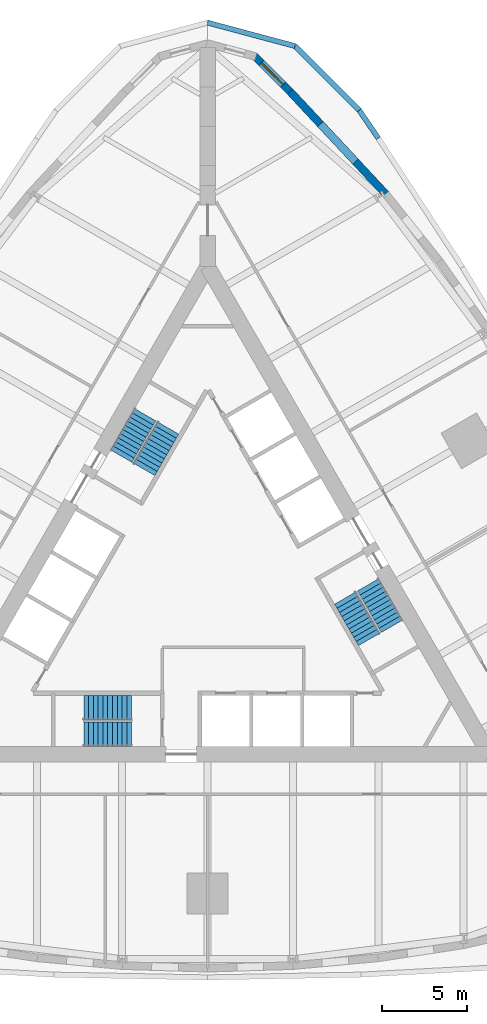
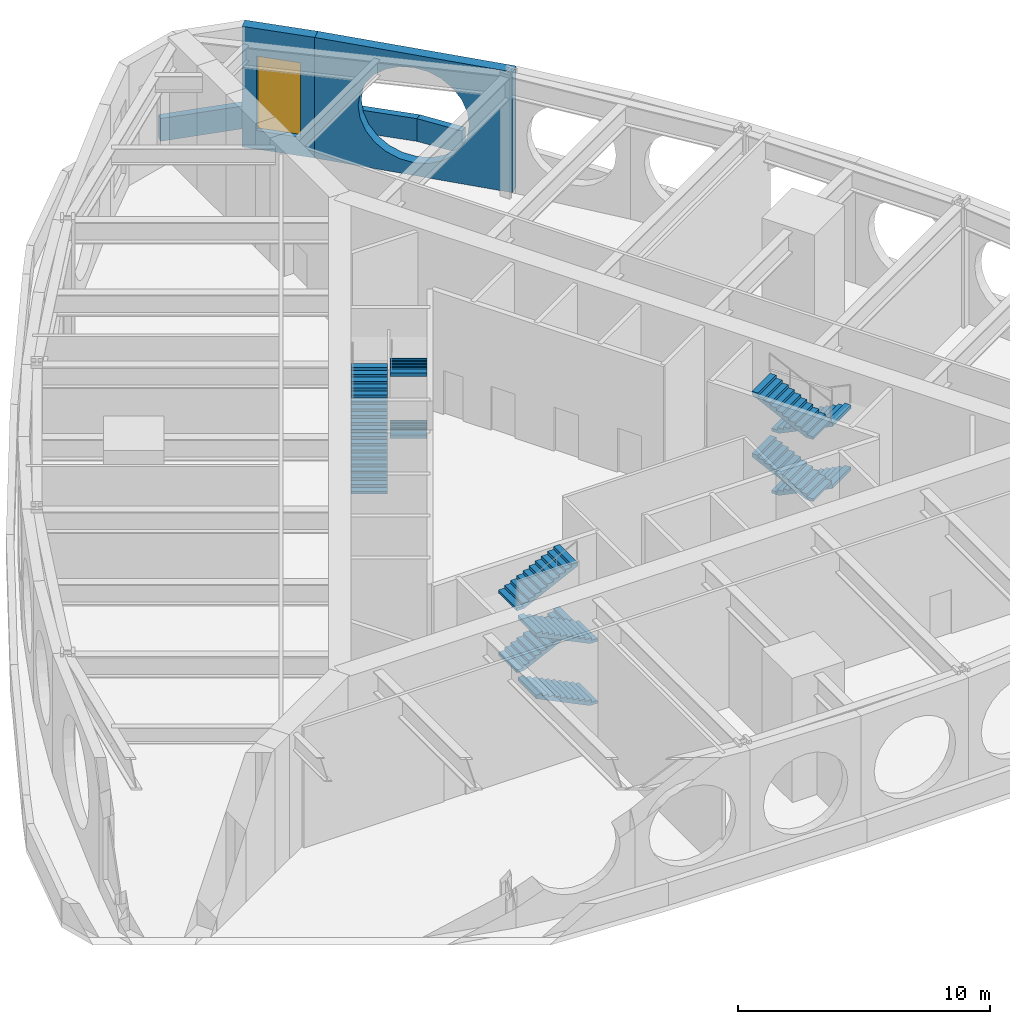
# One storey, part 7 of 8: 12 stair flights, 5 walls, 1 window, 1 opening, 3 elements without a shape of their own.
"""IFC4 building model written with IfcOpenShell, lengths in metres."""

from ifc_helpers import new_model, si_unit, direction, frame, frame_2d, origin, place, context, subcontext, project, spatial, polyline, rectangle, outline, extrude, material, layer, layer_set, type_object, element, fill, aggregate, save


model = new_model("IFC4")

# Units and contexts
model_context = context("Model", 3, precision=1e-05, world=origin(), true_north=direction((0.0, 1.0)))
body_context = subcontext(model_context, "Body", "Model", "MODEL_VIEW")
ifc_project = project(units=[si_unit("LENGTHUNIT", "METRE"), si_unit("AREAUNIT", "SQUARE_METRE"), si_unit("VOLUMEUNIT", "CUBIC_METRE"), si_unit("PLANEANGLEUNIT", "RADIAN"), si_unit("MASSUNIT", "GRAM", prefix="KILO")], contexts=[model_context])

# Site, building, storey
site_placement = place(None, origin())
site = spatial("IfcSite", under=ifc_project, at=site_placement, CompositionType="ELEMENT")
building_placement = place(site_placement, origin())
building = spatial("IfcBuilding", under=site, at=building_placement, Name="Trikona Tower", CompositionType="ELEMENT")
storey_placement = place(building_placement, frame((0.0, 0.0, 22.5)))
storey = spatial("IfcBuildingStorey", under=building, at=storey_placement, Name="L04", CompositionType="ELEMENT", Elevation=22.5)

# Wall, opening, window
ifc_material_1 = material(Name="Brick-faced precast concrete", Category="masonry")
ifc_layer_1 = layer(ifc_material_1, 0.449951171875)
ifc_layer_set_1 = layer_set([ifc_layer_1], Name="Brick-faced corner wall 450")
wall_type_1 = type_object("IfcWallType", Name="Brick-faced corner wall 450", PredefinedType="SOLIDWALL", material=ifc_layer_set_1)
wall_1_placement = place(storey_placement, frame((4.8408203125, 29.285888671875, 0.0), z_axis=(0.0, 0.0, 1.0), x_axis=(-0.707106781187, 0.707106781187, 0.0)))
wall_1 = element("IfcWall", 1, at=wall_1_placement, inside=storey, type_object=wall_type_1, Name="External wall L04-20", PredefinedType="SOLIDWALL", context=body_context, shape_type="SweptSolid", body=[
    extrude(rectangle(XDim=2.98828125, YDim=0.449951171875, at=frame_2d((1.494140625, 0.0))), origin(), (0.0, 0.0, 1.0), 5.8349609375),
])
opening_placement = place(wall_1_placement, frame((0.59423828125, 0.0, 0.89990234375)))
opening = element("IfcOpeningElement", 2, at=opening_placement, cuts=wall_1, Name="Opening W1836", PredefinedType="OPENING", context=body_context, shape_type="SweptSolid", body=[
    extrude(rectangle(XDim=1.800048828125, YDim=3.60009765625, at=frame_2d((0.89990234375, 1.800048828125))), frame((0.0, 0.23486328125, 0.0), z_axis=(0.0, -1.0, 0.0), x_axis=(1.0, 0.0, 0.0)), (0.0, 0.0, 1.0), 0.469970703125),
])
ifc_material_2 = material(Name="Aluminium-framed double glazing", Category="aluminium")
window_type = type_object("IfcWindowType", Name="Window 1800x3600", PartitioningType="SINGLE_PANEL", PredefinedType="WINDOW", material=ifc_material_2)
window_placement = place(opening_placement, origin())
window = element("IfcWindow", 3, at=window_placement, inside=storey, type_object=window_type, Name="Window L04-CWP", OverallHeight=3.60009765625, OverallWidth=1.800048828125, PartitioningType="SINGLE_PANEL", PredefinedType="WINDOW", context=body_context, shape_type="SweptSolid", body=[
    extrude(rectangle(XDim=1.800048828125, YDim=3.60009765625, at=frame_2d((0.89990234375, 1.800048828125))), frame((0.0, 0.030029296875, 0.0), z_axis=(0.0, -1.0, 0.0), x_axis=(1.0, 0.0, 0.0)), (0.0, 0.0, 1.0), 0.06005859375),
])
fill(opening, window)

# Walls
ifc_material_3 = material(Name="Brick-faced precast concrete with louvred openings", Category="masonry")
ifc_layer_2 = layer(ifc_material_3, 0.449951171875)
ifc_layer_set_2 = layer_set([ifc_layer_2], Name="Brick-faced plant wall 450")
wall_type_2 = type_object("IfcWallType", Name="Brick-faced plant wall 450", PredefinedType="SOLIDWALL", material=ifc_layer_set_2)
wall_2_placement = place(storey_placement, frame((10.43798828125, 23.288330078125, 0.0), z_axis=(0.0, 0.0, 1.0), x_axis=(-0.682290707137, 0.73108097428, 0.0)))
element("IfcWall", 4, at=wall_2_placement, inside=storey, type_object=wall_type_2, Name="External wall L04-19", PredefinedType="SOLIDWALL", context=body_context, shape_type="SweptSolid", body=[
    extrude(outline(polyline([(0.0, 0.0), (8.21142578125, 0.0), (8.21142578125, 5.8349609375), (0.0, 5.8349609375), (0.0, 0.0)]), holes=[polyline([(6.405517578125, 2.91748046875), (6.3271484375, 3.5126953125), (6.097412109375, 4.0673828125), (5.73193359375, 4.543701171875), (5.255615234375, 4.909423828125), (4.700927734375, 5.13916015625), (4.105712890625, 5.217529296875), (3.51025390625, 5.13916015625), (2.95556640625, 4.909423828125), (2.479248046875, 4.543701171875), (2.11376953125, 4.0673828125), (1.884033203125, 3.5126953125), (1.8056640625, 2.91748046875), (1.884033203125, 2.322265625), (2.11376953125, 1.767578125), (2.479248046875, 1.291259765625), (2.95556640625, 0.925537109375), (3.51025390625, 0.69580078125), (4.105712890625, 0.617431640625), (4.700927734375, 0.69580078125), (5.255615234375, 0.925537109375), (5.73193359375, 1.291259765625), (6.097412109375, 1.767578125), (6.3271484375, 2.322265625), (6.405517578125, 2.91748046875)])]), frame((0.0, 0.22509765625, 0.0), z_axis=(0.0, -1.0, 0.0), x_axis=(1.0, 0.0, 0.0)), (0.0, 0.0, 1.0), 0.449951171875),
])
ifc_material_4 = material(Name="Brick-faced precast concrete", Category="masonry")
ifc_layer_3 = layer(ifc_material_4, 0.300048828125)
ifc_layer_set_3 = layer_set([ifc_layer_3], Name="Parapet wall 300")
wall_type_3 = type_object("IfcWallType", Name="Parapet wall 300", PredefinedType="PARAPET", material=ifc_layer_set_3)
wall_3_placement = place(storey_placement, frame((0.0, 33.3310546875, 0.0), z_axis=(0.0, 0.0, 1.0), x_axis=(0.965923784953, -0.258826663353, 0.0)))
element("IfcWall", 5, at=wall_3_placement, inside=storey, type_object=wall_type_3, Name="Parapet L04-12", PredefinedType="PARAPET", context=body_context, shape_type="SweptSolid", body=[
    extrude(rectangle(XDim=5.29931640625, YDim=0.300048828125, at=frame_2d((2.649658203125, 0.0))), origin(), (0.0, 0.0, 1.0), 1.10009765625),
])
wall_4_placement = place(storey_placement, frame((5.11865234375, 31.95947265625, 0.0), z_axis=(0.0, 0.0, 1.0), x_axis=(0.707106781187, -0.707106781187, 0.0)))
element("IfcWall", 6, at=wall_4_placement, inside=storey, type_object=wall_type_3, Name="Parapet L04-13", PredefinedType="PARAPET", context=body_context, shape_type="SweptSolid", body=[
    extrude(rectangle(XDim=5.324951171875, YDim=0.300048828125, at=frame_2d((2.66259765625, 0.0))), origin(), (0.0, 0.0, 1.0), 1.10009765625),
])
wall_5_placement = place(storey_placement, frame((8.884033203125, 28.194091796875, 0.0), z_axis=(0.0, 0.0, 1.0), x_axis=(0.564147300062, -0.825674163235, 0.0)))
element("IfcWall", 7, at=wall_5_placement, inside=storey, type_object=wall_type_3, Name="Parapet L04-14", PredefinedType="PARAPET", context=body_context, shape_type="SweptSolid", body=[
    extrude(rectangle(XDim=1.990234375, YDim=0.300048828125, at=frame_2d((0.9951171875, 0.0))), origin(), (0.0, 0.0, 1.0), 1.10009765625),
])

# Stair, stair flights
ifc_material_5 = material(Name="Concrete f'c 5000 psi", Category="concrete")
stair_type = type_object("IfcStairType", Name="Core stair", PredefinedType="HALF_TURN_STAIR", material=ifc_material_5)
stair_1_placement = place(storey_placement, origin())
stair_1 = element("IfcStair", 8, at=stair_1_placement, inside=storey, type_object=stair_type, Name="Stair A L04", PredefinedType="HALF_TURN_STAIR")
ifc_material_6 = material(Name="Concrete f'c 5000 psi", Category="concrete")
stair_flight_type = type_object("IfcStairFlightType", Name="Core stair flight 1450", PredefinedType="STRAIGHT", material=ifc_material_6)
stair_flight_1_placement = place(storey_placement, frame((-4.449951171875, -8.351318359375, 0.0), z_axis=(0.0, 0.0, 1.0), x_axis=(-1.0, 0.0, 0.0)))
stair_flight_1 = element("IfcStairFlight", 9, at=stair_flight_1_placement, type_object=stair_flight_type, Name="ST-A flight 1", NumberOfRisers=11, NumberOfTreads=10, PredefinedType="STRAIGHT", RiserHeight=0.136364, TreadLength=0.28, context=body_context, shape_type="SweptSolid", body=[
    extrude(outline(polyline([(0.0, 0.0), (0.0, 0.136474609375), (0.280029296875, 0.136474609375), (0.280029296875, 0.272705078125), (0.56005859375, 0.272705078125), (0.56005859375, 0.4091796875), (0.840087890625, 0.4091796875), (0.840087890625, 0.54541015625), (1.1201171875, 0.54541015625), (1.1201171875, 0.681884765625), (1.39990234375, 0.681884765625), (1.39990234375, 0.818115234375), (1.679931640625, 0.818115234375), (1.679931640625, 0.95458984375), (1.9599609375, 0.95458984375), (1.9599609375, 1.0908203125), (2.239990234375, 1.0908203125), (2.239990234375, 1.227294921875), (2.52001953125, 1.227294921875), (2.52001953125, 1.363525390625), (2.800048828125, 1.363525390625), (2.800048828125, 1.5), (2.800048828125, 1.197021484375), (0.34228515625, 0.0), (0.0, 0.0)])), frame((0.0, 0.72509765625, 0.0), z_axis=(0.0, -1.0, 0.0), x_axis=(1.0, 0.0, 0.0)), (0.0, 0.0, 1.0), 1.449951171875),
])
stair_flight_2_placement = place(storey_placement, frame((-7.25, -6.80126953125, 1.5), z_axis=(0.0, 0.0, 1.0), x_axis=(1.0, 0.0, 0.0)))
stair_flight_2 = element("IfcStairFlight", 10, at=stair_flight_2_placement, type_object=stair_flight_type, Name="ST-A flight 2", NumberOfRisers=11, NumberOfTreads=10, PredefinedType="STRAIGHT", RiserHeight=0.136364, TreadLength=0.28, context=body_context, shape_type="SweptSolid", body=[
    extrude(outline(polyline([(0.0, 0.0), (0.0, 0.136474609375), (0.280029296875, 0.136474609375), (0.280029296875, 0.272705078125), (0.56005859375, 0.272705078125), (0.56005859375, 0.4091796875), (0.840087890625, 0.4091796875), (0.840087890625, 0.54541015625), (1.1201171875, 0.54541015625), (1.1201171875, 0.681884765625), (1.39990234375, 0.681884765625), (1.39990234375, 0.818115234375), (1.679931640625, 0.818115234375), (1.679931640625, 0.95458984375), (1.9599609375, 0.95458984375), (1.9599609375, 1.0908203125), (2.239990234375, 1.0908203125), (2.239990234375, 1.227294921875), (2.52001953125, 1.227294921875), (2.52001953125, 1.363525390625), (2.800048828125, 1.363525390625), (2.800048828125, 1.5), (2.800048828125, 1.197021484375), (0.34228515625, 0.0), (0.0, 0.0)])), frame((0.0, 0.72509765625, 0.0), z_axis=(0.0, -1.0, 0.0), x_axis=(1.0, 0.0, 0.0)), (0.0, 0.0, 1.0), 1.449951171875),
])
stair_flight_3_placement = place(storey_placement, frame((-4.449951171875, -8.351318359375, 3.0), z_axis=(0.0, 0.0, 1.0), x_axis=(-1.0, 0.0, 0.0)))
stair_flight_3 = element("IfcStairFlight", 11, at=stair_flight_3_placement, type_object=stair_flight_type, Name="ST-A flight 3", NumberOfRisers=11, NumberOfTreads=10, PredefinedType="STRAIGHT", RiserHeight=0.136364, TreadLength=0.28, context=body_context, shape_type="SweptSolid", body=[
    extrude(outline(polyline([(0.0, 0.0), (0.0, 0.136474609375), (0.280029296875, 0.136474609375), (0.280029296875, 0.272705078125), (0.56005859375, 0.272705078125), (0.56005859375, 0.4091796875), (0.840087890625, 0.4091796875), (0.840087890625, 0.54541015625), (1.1201171875, 0.54541015625), (1.1201171875, 0.681884765625), (1.39990234375, 0.681884765625), (1.39990234375, 0.818115234375), (1.679931640625, 0.818115234375), (1.679931640625, 0.95458984375), (1.9599609375, 0.95458984375), (1.9599609375, 1.0908203125), (2.239990234375, 1.0908203125), (2.239990234375, 1.227294921875), (2.52001953125, 1.227294921875), (2.52001953125, 1.363525390625), (2.800048828125, 1.363525390625), (2.800048828125, 1.5), (2.800048828125, 1.197021484375), (0.34228515625, 0.0), (0.0, 0.0)])), frame((0.0, 0.72509765625, 0.0), z_axis=(0.0, -1.0, 0.0), x_axis=(1.0, 0.0, 0.0)), (0.0, 0.0, 1.0), 1.449951171875),
])
stair_flight_4_placement = place(storey_placement, frame((-7.25, -6.80126953125, 4.5), z_axis=(0.0, 0.0, 1.0), x_axis=(1.0, 0.0, 0.0)))
stair_flight_4 = element("IfcStairFlight", 12, at=stair_flight_4_placement, type_object=stair_flight_type, Name="ST-A flight 4", NumberOfRisers=11, NumberOfTreads=10, PredefinedType="STRAIGHT", RiserHeight=0.136364, TreadLength=0.28, context=body_context, shape_type="SweptSolid", body=[
    extrude(outline(polyline([(0.0, 0.0), (0.0, 0.136474609375), (0.280029296875, 0.136474609375), (0.280029296875, 0.272705078125), (0.56005859375, 0.272705078125), (0.56005859375, 0.4091796875), (0.840087890625, 0.4091796875), (0.840087890625, 0.54541015625), (1.1201171875, 0.54541015625), (1.1201171875, 0.681884765625), (1.39990234375, 0.681884765625), (1.39990234375, 0.818115234375), (1.679931640625, 0.818115234375), (1.679931640625, 0.95458984375), (1.9599609375, 0.95458984375), (1.9599609375, 1.0908203125), (2.239990234375, 1.0908203125), (2.239990234375, 1.227294921875), (2.52001953125, 1.227294921875), (2.52001953125, 1.363525390625), (2.800048828125, 1.363525390625), (2.800048828125, 1.5), (2.800048828125, 1.197021484375), (0.34228515625, 0.0), (0.0, 0.0)])), frame((0.0, 0.72509765625, 0.0), z_axis=(0.0, -1.0, 0.0), x_axis=(1.0, 0.0, 0.0)), (0.0, 0.0, 1.0), 1.449951171875),
])
aggregate(stair_1, [stair_flight_1, stair_flight_2, stair_flight_3, stair_flight_4])

stair_2_placement = place(storey_placement, origin())
stair_2 = element("IfcStair", 13, at=stair_2_placement, inside=storey, type_object=stair_type, Name="Stair B L04", PredefinedType="HALF_TURN_STAIR")
stair_flight_5_placement = place(storey_placement, frame((9.407470703125, 0.408447265625, 0.0), z_axis=(0.0, 0.0, 1.0), x_axis=(0.5, -0.866025403784, 0.0)))
stair_flight_5 = element("IfcStairFlight", 14, at=stair_flight_5_placement, type_object=stair_flight_type, Name="ST-B flight 1", NumberOfRisers=11, NumberOfTreads=10, PredefinedType="STRAIGHT", RiserHeight=0.136364, TreadLength=0.28, context=body_context, shape_type="SweptSolid", body=[
    extrude(outline(polyline([(0.0, 0.0), (0.0, 0.136474609375), (0.280029296875, 0.136474609375), (0.280029296875, 0.272705078125), (0.56005859375, 0.272705078125), (0.56005859375, 0.4091796875), (0.840087890625, 0.4091796875), (0.840087890625, 0.54541015625), (1.1201171875, 0.54541015625), (1.1201171875, 0.681884765625), (1.39990234375, 0.681884765625), (1.39990234375, 0.818115234375), (1.679931640625, 0.818115234375), (1.679931640625, 0.95458984375), (1.9599609375, 0.95458984375), (1.9599609375, 1.0908203125), (2.239990234375, 1.0908203125), (2.239990234375, 1.227294921875), (2.52001953125, 1.227294921875), (2.52001953125, 1.363525390625), (2.800048828125, 1.363525390625), (2.800048828125, 1.5), (2.800048828125, 1.197021484375), (0.34228515625, 0.0), (0.0, 0.0)])), frame((0.0, 0.72509765625, 0.0), z_axis=(0.0, -1.0, 0.0), x_axis=(1.0, 0.0, 0.0)), (0.0, 0.0, 1.0), 1.449951171875),
])
stair_flight_6_placement = place(storey_placement, frame((9.465087890625, -2.79150390625, 1.5), z_axis=(0.0, 0.0, 1.0), x_axis=(-0.5, 0.866025403784, 0.0)))
stair_flight_6 = element("IfcStairFlight", 15, at=stair_flight_6_placement, type_object=stair_flight_type, Name="ST-B flight 2", NumberOfRisers=11, NumberOfTreads=10, PredefinedType="STRAIGHT", RiserHeight=0.136364, TreadLength=0.28, context=body_context, shape_type="SweptSolid", body=[
    extrude(outline(polyline([(0.0, 0.0), (0.0, 0.136474609375), (0.280029296875, 0.136474609375), (0.280029296875, 0.272705078125), (0.56005859375, 0.272705078125), (0.56005859375, 0.4091796875), (0.840087890625, 0.4091796875), (0.840087890625, 0.54541015625), (1.1201171875, 0.54541015625), (1.1201171875, 0.681884765625), (1.39990234375, 0.681884765625), (1.39990234375, 0.818115234375), (1.679931640625, 0.818115234375), (1.679931640625, 0.95458984375), (1.9599609375, 0.95458984375), (1.9599609375, 1.0908203125), (2.239990234375, 1.0908203125), (2.239990234375, 1.227294921875), (2.52001953125, 1.227294921875), (2.52001953125, 1.363525390625), (2.800048828125, 1.363525390625), (2.800048828125, 1.5), (2.800048828125, 1.197021484375), (0.34228515625, 0.0), (0.0, 0.0)])), frame((0.0, 0.72509765625, 0.0), z_axis=(0.0, -1.0, 0.0), x_axis=(1.0, 0.0, 0.0)), (0.0, 0.0, 1.0), 1.449951171875),
])
stair_flight_7_placement = place(storey_placement, frame((9.407470703125, 0.408447265625, 3.0), z_axis=(0.0, 0.0, 1.0), x_axis=(0.5, -0.866025403784, 0.0)))
stair_flight_7 = element("IfcStairFlight", 16, at=stair_flight_7_placement, type_object=stair_flight_type, Name="ST-B flight 3", NumberOfRisers=11, NumberOfTreads=10, PredefinedType="STRAIGHT", RiserHeight=0.136364, TreadLength=0.28, context=body_context, shape_type="SweptSolid", body=[
    extrude(outline(polyline([(0.0, 0.0), (0.0, 0.136474609375), (0.280029296875, 0.136474609375), (0.280029296875, 0.272705078125), (0.56005859375, 0.272705078125), (0.56005859375, 0.4091796875), (0.840087890625, 0.4091796875), (0.840087890625, 0.54541015625), (1.1201171875, 0.54541015625), (1.1201171875, 0.681884765625), (1.39990234375, 0.681884765625), (1.39990234375, 0.818115234375), (1.679931640625, 0.818115234375), (1.679931640625, 0.95458984375), (1.9599609375, 0.95458984375), (1.9599609375, 1.0908203125), (2.239990234375, 1.0908203125), (2.239990234375, 1.227294921875), (2.52001953125, 1.227294921875), (2.52001953125, 1.363525390625), (2.800048828125, 1.363525390625), (2.800048828125, 1.5), (2.800048828125, 1.197021484375), (0.34228515625, 0.0), (0.0, 0.0)])), frame((0.0, 0.72509765625, 0.0), z_axis=(0.0, -1.0, 0.0), x_axis=(1.0, 0.0, 0.0)), (0.0, 0.0, 1.0), 1.449951171875),
])
stair_flight_8_placement = place(storey_placement, frame((9.465087890625, -2.79150390625, 4.5), z_axis=(0.0, 0.0, 1.0), x_axis=(-0.5, 0.866025403784, 0.0)))
stair_flight_8 = element("IfcStairFlight", 17, at=stair_flight_8_placement, type_object=stair_flight_type, Name="ST-B flight 4", NumberOfRisers=11, NumberOfTreads=10, PredefinedType="STRAIGHT", RiserHeight=0.136364, TreadLength=0.28, context=body_context, shape_type="SweptSolid", body=[
    extrude(outline(polyline([(0.0, 0.0), (0.0, 0.136474609375), (0.280029296875, 0.136474609375), (0.280029296875, 0.272705078125), (0.56005859375, 0.272705078125), (0.56005859375, 0.4091796875), (0.840087890625, 0.4091796875), (0.840087890625, 0.54541015625), (1.1201171875, 0.54541015625), (1.1201171875, 0.681884765625), (1.39990234375, 0.681884765625), (1.39990234375, 0.818115234375), (1.679931640625, 0.818115234375), (1.679931640625, 0.95458984375), (1.9599609375, 0.95458984375), (1.9599609375, 1.0908203125), (2.239990234375, 1.0908203125), (2.239990234375, 1.227294921875), (2.52001953125, 1.227294921875), (2.52001953125, 1.363525390625), (2.800048828125, 1.363525390625), (2.800048828125, 1.5), (2.800048828125, 1.197021484375), (0.34228515625, 0.0), (0.0, 0.0)])), frame((0.0, 0.72509765625, 0.0), z_axis=(0.0, -1.0, 0.0), x_axis=(1.0, 0.0, 0.0)), (0.0, 0.0, 1.0), 1.449951171875),
])
aggregate(stair_2, [stair_flight_5, stair_flight_6, stair_flight_7, stair_flight_8])

stair_3_placement = place(storey_placement, origin())
stair_3 = element("IfcStair", 18, at=stair_3_placement, inside=storey, type_object=stair_type, Name="Stair C L04", PredefinedType="HALF_TURN_STAIR")
stair_flight_9_placement = place(storey_placement, frame((-5.057373046875, 7.94287109375, 0.0), z_axis=(0.0, 0.0, 1.0), x_axis=(0.5, 0.866025403784, 0.0)))
stair_flight_9 = element("IfcStairFlight", 19, at=stair_flight_9_placement, type_object=stair_flight_type, Name="ST-C flight 1", NumberOfRisers=11, NumberOfTreads=10, PredefinedType="STRAIGHT", RiserHeight=0.136364, TreadLength=0.28, context=body_context, shape_type="SweptSolid", body=[
    extrude(outline(polyline([(0.0, 0.0), (0.0, 0.136474609375), (0.280029296875, 0.136474609375), (0.280029296875, 0.272705078125), (0.56005859375, 0.272705078125), (0.56005859375, 0.4091796875), (0.840087890625, 0.4091796875), (0.840087890625, 0.54541015625), (1.1201171875, 0.54541015625), (1.1201171875, 0.681884765625), (1.39990234375, 0.681884765625), (1.39990234375, 0.818115234375), (1.679931640625, 0.818115234375), (1.679931640625, 0.95458984375), (1.9599609375, 0.95458984375), (1.9599609375, 1.0908203125), (2.239990234375, 1.0908203125), (2.239990234375, 1.227294921875), (2.52001953125, 1.227294921875), (2.52001953125, 1.363525390625), (2.800048828125, 1.363525390625), (2.800048828125, 1.5), (2.800048828125, 1.197021484375), (0.34228515625, 0.0), (0.0, 0.0)])), frame((0.0, 0.72509765625, 0.0), z_axis=(0.0, -1.0, 0.0), x_axis=(1.0, 0.0, 0.0)), (0.0, 0.0, 1.0), 1.449951171875),
])
stair_flight_10_placement = place(storey_placement, frame((-2.315185546875, 9.5927734375, 1.5), z_axis=(0.0, 0.0, 1.0), x_axis=(-0.5, -0.866025403784, 0.0)))
stair_flight_10 = element("IfcStairFlight", 20, at=stair_flight_10_placement, type_object=stair_flight_type, Name="ST-C flight 2", NumberOfRisers=11, NumberOfTreads=10, PredefinedType="STRAIGHT", RiserHeight=0.136364, TreadLength=0.28, context=body_context, shape_type="SweptSolid", body=[
    extrude(outline(polyline([(0.0, 0.0), (0.0, 0.136474609375), (0.280029296875, 0.136474609375), (0.280029296875, 0.272705078125), (0.56005859375, 0.272705078125), (0.56005859375, 0.4091796875), (0.840087890625, 0.4091796875), (0.840087890625, 0.54541015625), (1.1201171875, 0.54541015625), (1.1201171875, 0.681884765625), (1.39990234375, 0.681884765625), (1.39990234375, 0.818115234375), (1.679931640625, 0.818115234375), (1.679931640625, 0.95458984375), (1.9599609375, 0.95458984375), (1.9599609375, 1.0908203125), (2.239990234375, 1.0908203125), (2.239990234375, 1.227294921875), (2.52001953125, 1.227294921875), (2.52001953125, 1.363525390625), (2.800048828125, 1.363525390625), (2.800048828125, 1.5), (2.800048828125, 1.197021484375), (0.34228515625, 0.0), (0.0, 0.0)])), frame((0.0, 0.72509765625, 0.0), z_axis=(0.0, -1.0, 0.0), x_axis=(1.0, 0.0, 0.0)), (0.0, 0.0, 1.0), 1.449951171875),
])
stair_flight_11_placement = place(storey_placement, frame((-5.057373046875, 7.94287109375, 3.0), z_axis=(0.0, 0.0, 1.0), x_axis=(0.5, 0.866025403784, 0.0)))
stair_flight_11 = element("IfcStairFlight", 21, at=stair_flight_11_placement, type_object=stair_flight_type, Name="ST-C flight 3", NumberOfRisers=11, NumberOfTreads=10, PredefinedType="STRAIGHT", RiserHeight=0.136364, TreadLength=0.28, context=body_context, shape_type="SweptSolid", body=[
    extrude(outline(polyline([(0.0, 0.0), (0.0, 0.136474609375), (0.280029296875, 0.136474609375), (0.280029296875, 0.272705078125), (0.56005859375, 0.272705078125), (0.56005859375, 0.4091796875), (0.840087890625, 0.4091796875), (0.840087890625, 0.54541015625), (1.1201171875, 0.54541015625), (1.1201171875, 0.681884765625), (1.39990234375, 0.681884765625), (1.39990234375, 0.818115234375), (1.679931640625, 0.818115234375), (1.679931640625, 0.95458984375), (1.9599609375, 0.95458984375), (1.9599609375, 1.0908203125), (2.239990234375, 1.0908203125), (2.239990234375, 1.227294921875), (2.52001953125, 1.227294921875), (2.52001953125, 1.363525390625), (2.800048828125, 1.363525390625), (2.800048828125, 1.5), (2.800048828125, 1.197021484375), (0.34228515625, 0.0), (0.0, 0.0)])), frame((0.0, 0.72509765625, 0.0), z_axis=(0.0, -1.0, 0.0), x_axis=(1.0, 0.0, 0.0)), (0.0, 0.0, 1.0), 1.449951171875),
])
stair_flight_12_placement = place(storey_placement, frame((-2.315185546875, 9.5927734375, 4.5), z_axis=(0.0, 0.0, 1.0), x_axis=(-0.5, -0.866025403784, 0.0)))
stair_flight_12 = element("IfcStairFlight", 22, at=stair_flight_12_placement, type_object=stair_flight_type, Name="ST-C flight 4", NumberOfRisers=11, NumberOfTreads=10, PredefinedType="STRAIGHT", RiserHeight=0.136364, TreadLength=0.28, context=body_context, shape_type="SweptSolid", body=[
    extrude(outline(polyline([(0.0, 0.0), (0.0, 0.136474609375), (0.280029296875, 0.136474609375), (0.280029296875, 0.272705078125), (0.56005859375, 0.272705078125), (0.56005859375, 0.4091796875), (0.840087890625, 0.4091796875), (0.840087890625, 0.54541015625), (1.1201171875, 0.54541015625), (1.1201171875, 0.681884765625), (1.39990234375, 0.681884765625), (1.39990234375, 0.818115234375), (1.679931640625, 0.818115234375), (1.679931640625, 0.95458984375), (1.9599609375, 0.95458984375), (1.9599609375, 1.0908203125), (2.239990234375, 1.0908203125), (2.239990234375, 1.227294921875), (2.52001953125, 1.227294921875), (2.52001953125, 1.363525390625), (2.800048828125, 1.363525390625), (2.800048828125, 1.5), (2.800048828125, 1.197021484375), (0.34228515625, 0.0), (0.0, 0.0)])), frame((0.0, 0.72509765625, 0.0), z_axis=(0.0, -1.0, 0.0), x_axis=(1.0, 0.0, 0.0)), (0.0, 0.0, 1.0), 1.449951171875),
])
aggregate(stair_3, [stair_flight_9, stair_flight_10, stair_flight_11, stair_flight_12])

save(model, "model.ifc")
